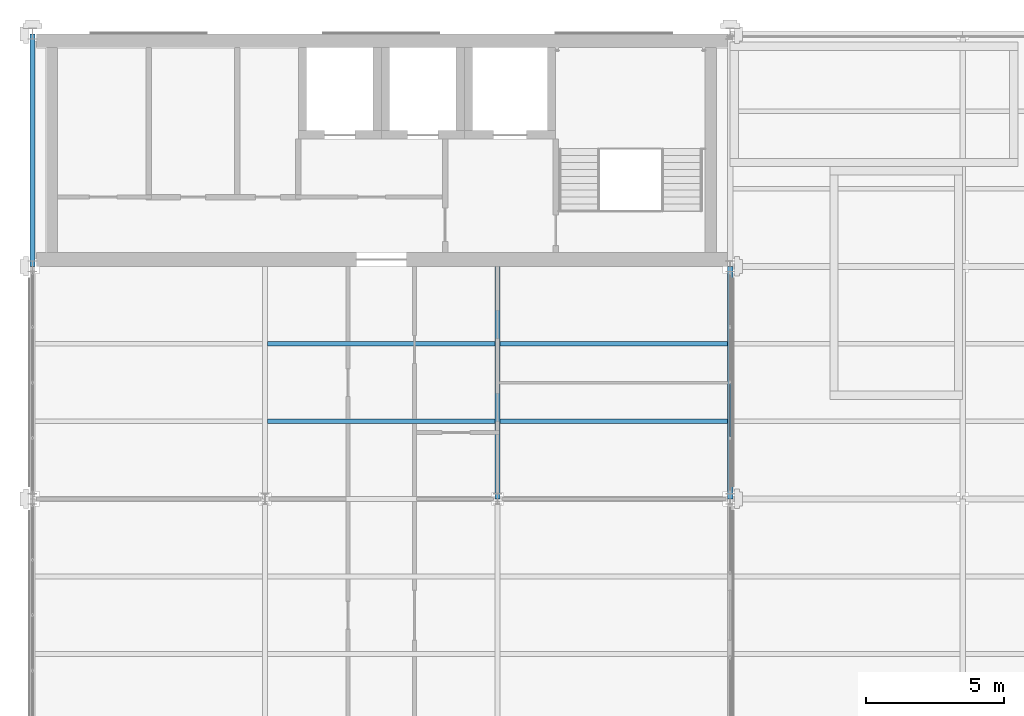
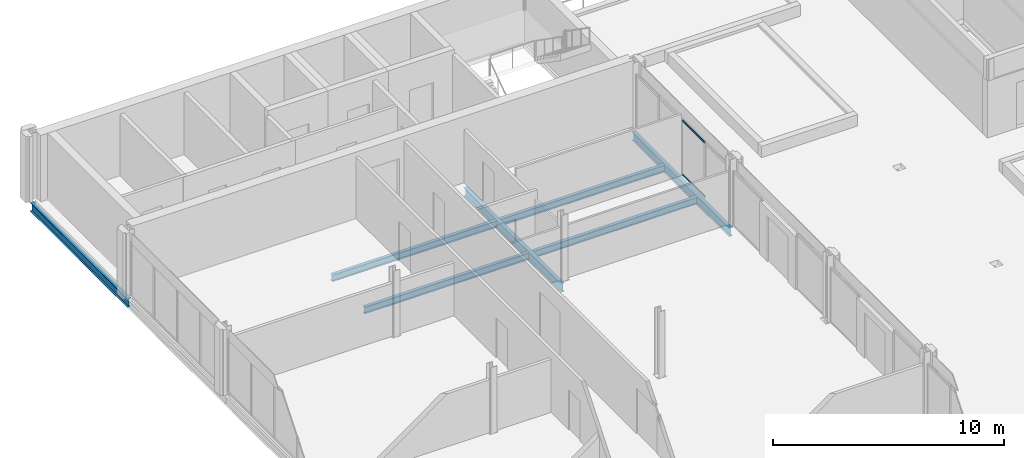
# One storey, part 20 of 32: 7 beams, 2 members, 1 element without a shape of its own.
"""IFC4 building model written with IfcOpenShell, lengths in metres."""

from ifc_helpers import new_model, si_unit, direction, frame, origin, origin_2d, place, context, subcontext, project, spatial, hollow_rectangle, i_section, extrude, material, material_profile, profile_set, type_object, element, aggregate, save


model = new_model("IFC4")

# Units and contexts
model_context = context("Model", 3, precision=1e-05, world=origin(), true_north=direction((0.0, 1.0)))
body_context = subcontext(model_context, "Body", "Model", "MODEL_VIEW")
ifc_project = project(units=[si_unit("LENGTHUNIT", "METRE"), si_unit("AREAUNIT", "SQUARE_METRE"), si_unit("VOLUMEUNIT", "CUBIC_METRE"), si_unit("PLANEANGLEUNIT", "RADIAN"), si_unit("MASSUNIT", "GRAM", prefix="KILO")], contexts=[model_context])

# Site, building, storey
site_placement = place(None, origin())
site = spatial("IfcSite", under=ifc_project, at=site_placement, CompositionType="ELEMENT")
building_placement = place(site_placement, origin())
building = spatial("IfcBuilding", under=site, at=building_placement, Name="Catenary Quay Ferry Terminal", CompositionType="ELEMENT")
storey_placement = place(building_placement, frame((0.0, 0.0, 17.10009765625)))
storey = spatial("IfcBuildingStorey", under=building, at=storey_placement, Name="L03", CompositionType="ELEMENT", Elevation=17.10009765625)

# Beams
ifc_material_1 = material(Name="Steel S355", Category="steel")
ifc_material_profile_1 = material_profile(ifc_material_1, i_section(OverallWidth=0.18994140625, OverallDepth=0.453369140625, WebThickness=0.008544921875, FlangeThickness=0.0126953125, at=origin_2d()), Name="UB 457x191x67")
ifc_profile_set_1 = profile_set([ifc_material_profile_1], Name="Steel S355")
beam_type_1 = type_object("IfcBeamType", Name="B1 UB 457x191x67", PredefinedType="BEAM", material=ifc_profile_set_1)
beam_placement = place(storey_placement, frame((25.199951171875, 201.60009765625, -0.47705078125), z_axis=(0.0, 1.0, 0.0), x_axis=(-1.0, 0.0, 0.0)))
element("IfcBeam", 1, at=beam_placement, inside=storey, type_object=beam_type_1, Name="Beam B1-015", PredefinedType="BEAM", context=body_context, shape_type="SweptSolid", body=[
    extrude(i_section(OverallWidth=0.18994140625, OverallDepth=0.453369140625, WebThickness=0.008544921875, FlangeThickness=0.0126953125, at=origin_2d()), origin(), (0.0, 0.0, 1.0), 8.39990234375),
])
for number, where, z_axis, x_axis, name in (
    (2, (50.39990234375, 193.199951171875, -0.47705078125), (0.0, 1.0, 0.0), (-1.0, 0.0, 0.0), "Beam B1-020"),
    (3, (42.0, 193.199951171875, -0.47705078125), (0.0, 1.0, 0.0), (-1.0, 0.0, 0.0), "Beam B1-029"),
):
    element("IfcBeam", number, at=place(storey_placement, frame(where, z_axis=z_axis, x_axis=x_axis)), inside=storey, type_object=beam_type_1, Name=name, PredefinedType="BEAM", context=body_context, shape_type="SweptSolid", body=[
        extrude(i_section(OverallWidth=0.18994140625, OverallDepth=0.453369140625, WebThickness=0.008544921875, FlangeThickness=0.0126953125, at=origin_2d()), origin(), (0.0, 0.0, 1.0), 8.400146484375),
    ])
ifc_material_2 = material(Name="Steel S355", Category="steel")
ifc_material_profile_2 = material_profile(ifc_material_2, i_section(OverallWidth=0.169921875, OverallDepth=0.360107421875, WebThickness=0.008056640625, FlangeThickness=0.0126953125, at=origin_2d()), Name="IPE 360")
ifc_profile_set_2 = profile_set([ifc_material_profile_2], Name="Steel S355")
beam_type_2 = type_object("IfcBeamType", Name="B7 IPE 360", PredefinedType="BEAM", material=ifc_profile_set_2)
for number, where, z_axis, x_axis, name in (
    (4, (33.695068359375, 196.0, -0.43017578125), (1.0, 0.0, 0.0), (0.0, 1.0, 0.0), "Beam B7-044"),
    (5, (42.094970703125, 196.0, -0.43017578125), (1.0, 0.0, 0.0), (0.0, 1.0, 0.0), "Beam B7-045"),
    (6, (33.695068359375, 198.800048828125, -0.43017578125), (1.0, 0.0, 0.0), (0.0, 1.0, 0.0), "Beam B7-047"),
    (7, (42.094970703125, 198.800048828125, -0.43017578125), (1.0, 0.0, 0.0), (0.0, 1.0, 0.0), "Beam B7-048"),
):
    element("IfcBeam", number, at=place(storey_placement, frame(where, z_axis=z_axis, x_axis=x_axis)), inside=storey, type_object=beam_type_2, Name=name, PredefinedType="BEAM", context=body_context, shape_type="SweptSolid", body=[
        extrude(i_section(OverallWidth=0.169921875, OverallDepth=0.360107421875, WebThickness=0.008056640625, FlangeThickness=0.0126953125, at=origin_2d()), origin(), (0.0, 0.0, 1.0), 8.2099609375),
    ])

# Curtain wall, members
ifc_material_3 = material(Name="Aluminium and glass", Category="aluminium")
curtain_wall_type = type_object("IfcCurtainWallType", Name="CWW3", PredefinedType="NOTDEFINED", material=ifc_material_3)
curtain_wall_placement = place(storey_placement, origin())
curtain_wall = element("IfcCurtainWall", 8, at=curtain_wall_placement, inside=storey, type_object=curtain_wall_type, Name="Wing curtain wall CW149", PredefinedType="NOTDEFINED")
ifc_material_4 = material(Name="Aluminium", Category="aluminium")
ifc_material_profile_3 = material_profile(ifc_material_4, hollow_rectangle(XDim=0.050048828125, YDim=0.10009765625, WallThickness=0.00390625, at=origin_2d()), Name="TR4")
ifc_profile_set_3 = profile_set([ifc_material_profile_3], Name="Aluminium")
member_type = type_object("IfcMemberType", Name="TR4", PredefinedType="USERDEFINED", material=ifc_profile_set_3)
member_1_placement = place(storey_placement, frame((50.39990234375, 195.429931640625, 0.02490234375), z_axis=(0.0, 1.0, 0.0), x_axis=(-1.0, 0.0, 0.0)))
member_1 = element("IfcMember", 9, at=member_1_placement, type_object=member_type, Name="CW149 transom 2.1", ObjectType="TRANSOM", PredefinedType="USERDEFINED", context=body_context, shape_type="SweptSolid", body=[
    extrude(hollow_rectangle(XDim=0.050048828125, YDim=0.10009765625, WallThickness=0.00390625, at=origin_2d()), origin(), (0.0, 0.0, 1.0), 1.940185546875),
])
member_2_placement = place(storey_placement, frame((50.39990234375, 195.429931640625, 2.875), z_axis=(0.0, 1.0, 0.0), x_axis=(-1.0, 0.0, 0.0)))
member_2 = element("IfcMember", 10, at=member_2_placement, type_object=member_type, Name="CW149 transom 2.2", ObjectType="TRANSOM", PredefinedType="USERDEFINED", context=body_context, shape_type="SweptSolid", body=[
    extrude(hollow_rectangle(XDim=0.050048828125, YDim=0.10009765625, WallThickness=0.00390625, at=origin_2d()), origin(), (0.0, 0.0, 1.0), 1.940185546875),
])
aggregate(curtain_wall, [member_1, member_2])

save(model, "model.ifc")
